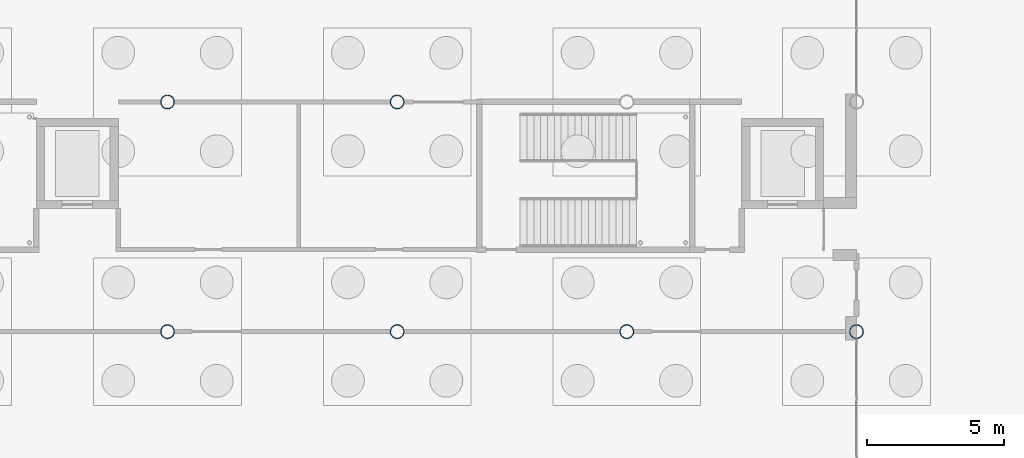
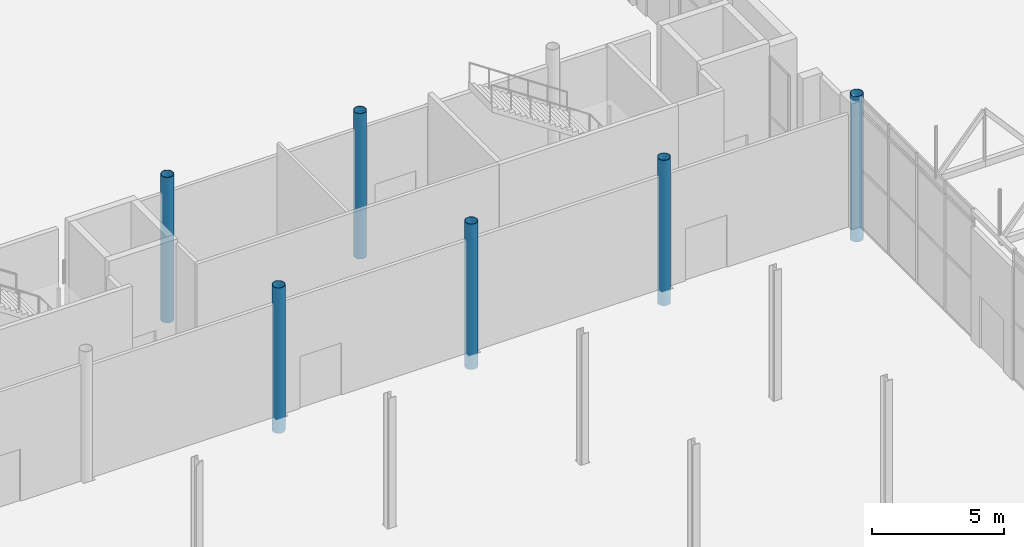
# One storey, part 20 of 212: 6 columns.
"""IFC4 building model written with IfcOpenShell, lengths in metres."""

from ifc_helpers import new_model, si_unit, direction, frame, origin, origin_2d, place, context, subcontext, project, spatial, hollow_circle, extrude, material, material_profile, profile_set, type_object, element, save


model = new_model("IFC4")

# Units and contexts
model_context = context("Model", 3, precision=1e-05, world=origin(), true_north=direction((0.0, 1.0)))
body_context = subcontext(model_context, "Body", "Model", "MODEL_VIEW")
ifc_project = project(units=[si_unit("LENGTHUNIT", "METRE"), si_unit("AREAUNIT", "SQUARE_METRE"), si_unit("VOLUMEUNIT", "CUBIC_METRE"), si_unit("PLANEANGLEUNIT", "RADIAN"), si_unit("MASSUNIT", "GRAM", prefix="KILO")], contexts=[model_context])

# Site, building, storey
site_placement = place(None, origin())
site = spatial("IfcSite", under=ifc_project, at=site_placement, CompositionType="ELEMENT")
building_placement = place(site_placement, origin())
building = spatial("IfcBuilding", under=site, at=building_placement, Name="Catenary Quay Ferry Terminal", CompositionType="ELEMENT")
storey_placement = place(building_placement, origin())
storey = spatial("IfcBuildingStorey", under=building, at=storey_placement, Name="L00", CompositionType="ELEMENT", Elevation=0.0)

# Columns
ifc_material = material(Name="Steel S355", Category="steel")
ifc_material_profile = material_profile(ifc_material, hollow_circle(Radius=0.25390625, WallThickness=0.01611328125, at=origin_2d()), Name="CHS 508x16")
ifc_profile_set = profile_set([ifc_material_profile], Name="Steel S355")
column_type = type_object("IfcColumnType", Name="C4 CHS 508x16", PredefinedType="COLUMN", material=ifc_profile_set)
for number, where, z_axis, x_axis, name in (
    (1, (67.199951171875, 100.800048828125, -0.699951171875), (0.0, 0.0, 1.0), (1.0, 0.0, 0.0), "Column C-I13 L00"),
    (2, (75.60009765625, 100.800048828125, -0.699951171875), (0.0, 0.0, 1.0), (1.0, 0.0, 0.0), "Column C-J13 L00"),
    (3, (84.0, 100.800048828125, -0.699951171875), (0.0, 0.0, 1.0), (1.0, 0.0, 0.0), "Column C-K13 L00"),
    (4, (92.39990234375, 100.800048828125, -0.699951171875), (0.0, 0.0, 1.0), (1.0, 0.0, 0.0), "Column C-L13 L00"),
    (5, (67.199951171875, 109.199951171875, -0.699951171875), (0.0, 0.0, 1.0), (1.0, 0.0, 0.0), "Column C-I14 L00"),
    (6, (75.60009765625, 109.199951171875, -0.699951171875), (0.0, 0.0, 1.0), (1.0, 0.0, 0.0), "Column C-J14 L00"),
):
    element("IfcColumn", number, at=place(storey_placement, frame(where, z_axis=z_axis, x_axis=x_axis)), inside=storey, type_object=column_type, Name=name, PredefinedType="COLUMN", context=body_context, shape_type="SweptSolid", body=[
        extrude(hollow_circle(Radius=0.25390625, WallThickness=0.01611328125, at=origin_2d()), origin(), (0.0, 0.0, 1.0), 6.699951171875),
    ])

save(model, "model.ifc")
